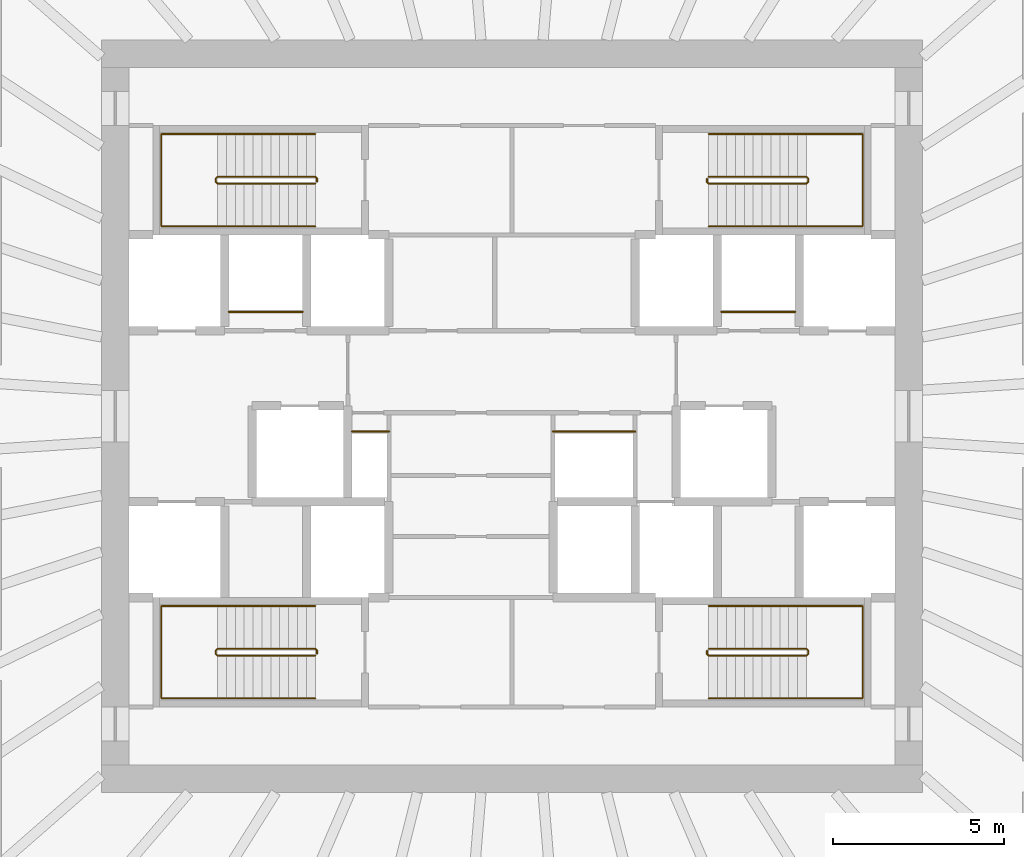
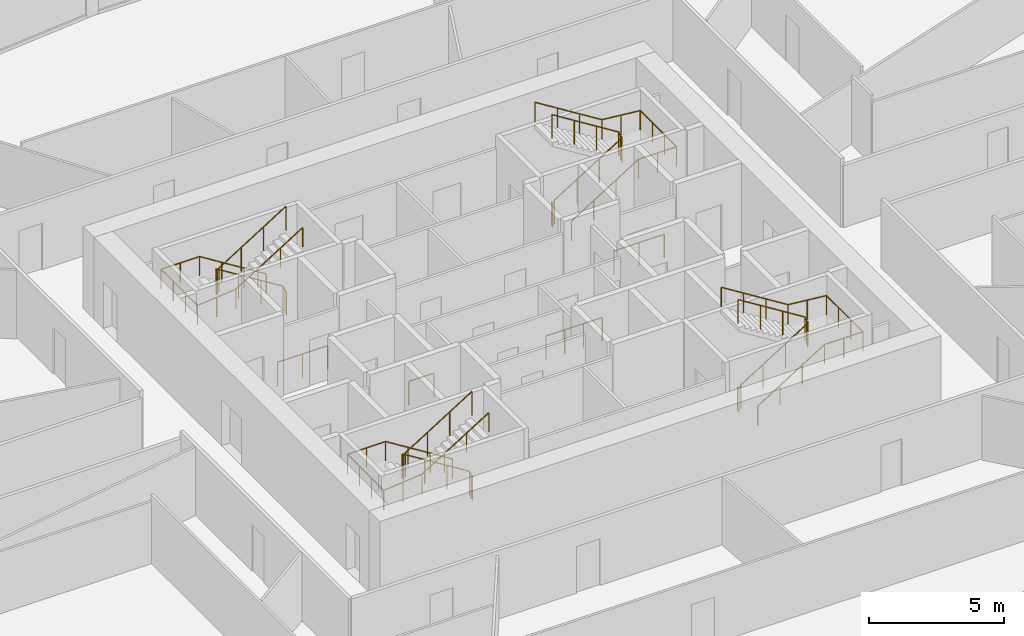
# One storey, part 11 of 11: 12 railings.
"""IFC4 building model written with IfcOpenShell, lengths in metres."""

from ifc_helpers import new_model, si_unit, direction, frame, origin, origin_2d, place, context, subcontext, project, spatial, circle, extrude, source, transform, mapped, material, type_object, element, save


model = new_model("IFC4")

# Units and contexts
model_context = context("Model", 3, precision=1e-05, world=origin(), true_north=direction((0.0, 1.0)))
body_context = subcontext(model_context, "Body", "Model", "MODEL_VIEW")
ifc_project = project(units=[si_unit("LENGTHUNIT", "METRE"), si_unit("AREAUNIT", "SQUARE_METRE"), si_unit("VOLUMEUNIT", "CUBIC_METRE"), si_unit("PLANEANGLEUNIT", "RADIAN"), si_unit("MASSUNIT", "GRAM", prefix="KILO")], contexts=[model_context])

# Site, building, storey
site_placement = place(None, origin())
site = spatial("IfcSite", under=ifc_project, at=site_placement, CompositionType="ELEMENT")
building_placement = place(site_placement, origin())
building = spatial("IfcBuilding", under=site, at=building_placement, Name="Embergate Tower", CompositionType="ELEMENT")
storey_placement = place(building_placement, frame((0.0, 0.0, 187.199951171875)))
storey = spatial("IfcBuildingStorey", under=building, at=storey_placement, Name="L42", CompositionType="ELEMENT", Elevation=187.199951171875)

# Railings
ifc_material_1 = material(Name="Stair guard 1100")
railing_type_1 = type_object("IfcRailingType", Name="Stair guard 1100", PredefinedType="GUARDRAIL", material=ifc_material_1)
shared_shape_1 = source(origin(), body_context, "Body", "SweptSolid", [
    extrude(circle(Radius=0.02392578125, at=origin_2d()), frame((0.0, 0.0, 1.076171875), z_axis=(0.0, 1.0, 0.0), x_axis=(-1.0, 0.0, 0.0)), (0.0, 0.0, 1.0), 0.099853515625),
    extrude(circle(Radius=0.02392578125, at=origin_2d()), frame((0.0, 0.099853515625, 1.076171875), z_axis=(-0.282227285176, 0.282227285176, 0.916894497205), x_axis=(-0.707106781187, -0.707106781187, 0.0)), (0.0, 0.0, 1.0), 0.17724609375),
    extrude(circle(Radius=0.02392578125, at=origin_2d()), frame((-0.050048828125, 0.14990234375, 1.23876953125), z_axis=(-0.848026770018, 0.0, 0.529953391661), x_axis=(0.0, -1.0, 0.0)), (0.0, 0.0, 1.0), 3.37255859375),
    extrude(circle(Radius=0.02392578125, at=origin_2d()), frame((-2.91015625, 0.14990234375, 3.02587890625), z_axis=(-0.705375805398, -0.708833529934, 0.0), x_axis=(0.708833529934, -0.705375805398, 0.0)), (0.0, 0.0, 1.0), 0.070556640625),
    extrude(circle(Radius=0.02392578125, at=origin_2d()), frame((-2.9599609375, 0.099853515625, 3.02587890625), z_axis=(0.0, -1.0, 0.0), x_axis=(1.0, 0.0, 0.0)), (0.0, 0.0, 1.0), 0.099853515625),
    extrude(circle(Radius=0.02392578125, at=origin_2d()), frame((-2.9599609375, 0.0, 3.02587890625), z_axis=(0.280959487676, -0.282336740067, 0.917250092119), x_axis=(0.708833529934, 0.705375805398, 0.0)), (0.0, 0.0, 1.0), 0.17724609375),
    extrude(circle(Radius=0.02392578125, at=origin_2d()), frame((-2.91015625, -0.050048828125, 3.1884765625), z_axis=(0.847994237388, 0.0, 0.530005446535), x_axis=(0.0, 1.0, 0.0)), (0.0, 0.0, 1.0), 3.372802734375),
    extrude(circle(Radius=0.02099609375, at=origin_2d()), origin(), (0.0, 0.0, 1.0), 1.052001953125),
    extrude(circle(Radius=0.02099609375, at=origin_2d()), frame((0.0, 0.099853515625, 0.0)), (0.0, 0.0, 1.0), 1.052001953125),
    extrude(circle(Radius=0.02099609375, at=origin_2d()), frame((-0.050048828125, 0.14990234375, 0.16259765625)), (0.0, 0.0, 1.0), 1.052001953125),
    extrude(circle(Radius=0.02099609375, at=origin_2d()), frame((-1.00341796875, 0.14990234375, 0.75830078125)), (0.0, 0.0, 1.0), 1.052001953125),
    extrude(circle(Radius=0.02099609375, at=origin_2d()), frame((-1.956787109375, 0.14990234375, 1.354248046875)), (0.0, 0.0, 1.0), 1.052001953125),
    extrude(circle(Radius=0.02099609375, at=origin_2d()), frame((-2.91015625, 0.14990234375, 1.949951171875)), (0.0, 0.0, 1.0), 1.052001953125),
    extrude(circle(Radius=0.02099609375, at=origin_2d()), frame((-2.9599609375, 0.099853515625, 1.949951171875)), (0.0, 0.0, 1.0), 1.052001953125),
    extrude(circle(Radius=0.02099609375, at=origin_2d()), frame((-2.9599609375, 0.0, 1.949951171875)), (0.0, 0.0, 1.0), 1.052001953125),
    extrude(circle(Radius=0.02099609375, at=origin_2d()), frame((-2.91015625, -0.050048828125, 2.112548828125)), (0.0, 0.0, 1.0), 1.052001953125),
    extrude(circle(Radius=0.02099609375, at=origin_2d()), frame((-1.956787109375, -0.050048828125, 2.70849609375)), (0.0, 0.0, 1.0), 1.052001953125),
    extrude(circle(Radius=0.02099609375, at=origin_2d()), frame((-1.00341796875, -0.050048828125, 3.30419921875)), (0.0, 0.0, 1.0), 1.052001953125),
    extrude(circle(Radius=0.02099609375, at=origin_2d()), frame((-0.050048828125, -0.050048828125, 3.900146484375)), (0.0, 0.0, 1.0), 1.052001953125),
])
for number, where, name in (
    (1, (-5.699951171875, 6.85009765625, 0.0), "L42 ST1 stair guard 1"),
    (2, (-5.699951171875, -6.949951171875, 0.0), "L42 ST3 stair guard 1"),
):
    element("IfcRailing", number, at=place(storey_placement, frame(where)), inside=storey, type_object=railing_type_1, Name=name, PredefinedType="GUARDRAIL", context=body_context, shape_type="MappedRepresentation", body=[
        mapped(shared_shape_1, transform((0.0, 0.0, 0.0))),
    ])
ifc_material_2 = material(Name="Stair handrail 900")
railing_type_2 = type_object("IfcRailingType", Name="Stair handrail 900", PredefinedType="HANDRAIL", material=ifc_material_2)
shared_shape_2 = source(origin(), body_context, "Body", "SweptSolid", [
    extrude(circle(Radius=0.02392578125, at=origin_2d()), frame((0.0, 0.0, 0.8759765625), z_axis=(-0.848026770018, 0.0, 0.529953391661), x_axis=(0.0, -1.0, 0.0)), (0.0, 0.0, 1.0), 3.37255859375),
    extrude(circle(Radius=0.02392578125, at=origin_2d()), frame((-2.860107421875, 0.0, 2.6630859375), z_axis=(-1.0, 0.0, 0.0), x_axis=(0.0, -1.0, 0.0)), (0.0, 0.0, 1.0), 1.639892578125),
    extrude(circle(Radius=0.02392578125, at=origin_2d()), frame((-4.5, 0.0, 2.6630859375), z_axis=(0.0, -1.0, 0.0), x_axis=(1.0, 0.0, 0.0)), (0.0, 0.0, 1.0), 2.699951171875),
    extrude(circle(Radius=0.02392578125, at=origin_2d()), frame((-4.5, -2.699951171875, 2.6630859375), z_axis=(0.995120448088, 0.0, 0.098667592441), x_axis=(0.0, 1.0, 0.0)), (0.0, 0.0, 1.0), 1.64794921875),
    extrude(circle(Radius=0.02392578125, at=origin_2d()), frame((-2.860107421875, -2.699951171875, 2.82568359375), z_axis=(0.847994237388, 0.0, 0.530005446535), x_axis=(0.0, 1.0, 0.0)), (0.0, 0.0, 1.0), 3.372802734375),
    extrude(circle(Radius=0.02099609375, at=origin_2d()), origin(), (0.0, 0.0, 1.0), 0.851806640625),
    extrude(circle(Radius=0.02099609375, at=origin_2d()), frame((-0.953369140625, 0.0, 0.595703125)), (0.0, 0.0, 1.0), 0.851806640625),
    extrude(circle(Radius=0.02099609375, at=origin_2d()), frame((-1.90673828125, 0.0, 1.191650390625)), (0.0, 0.0, 1.0), 0.851806640625),
    extrude(circle(Radius=0.02099609375, at=origin_2d()), frame((-2.860107421875, 0.0, 1.787353515625)), (0.0, 0.0, 1.0), 0.851806640625),
    extrude(circle(Radius=0.02099609375, at=origin_2d()), frame((-3.68017578125, 0.0, 1.787353515625)), (0.0, 0.0, 1.0), 0.851806640625),
    extrude(circle(Radius=0.02099609375, at=origin_2d()), frame((-4.5, 0.0, 1.787353515625)), (0.0, 0.0, 1.0), 0.851806640625),
    extrude(circle(Radius=0.02099609375, at=origin_2d()), frame((-4.5, -0.89990234375, 1.787353515625)), (0.0, 0.0, 1.0), 0.851806640625),
    extrude(circle(Radius=0.02099609375, at=origin_2d()), frame((-4.5, -1.800048828125, 1.787353515625)), (0.0, 0.0, 1.0), 0.851806640625),
    extrude(circle(Radius=0.02099609375, at=origin_2d()), frame((-4.5, -2.699951171875, 1.787353515625)), (0.0, 0.0, 1.0), 0.851806640625),
    extrude(circle(Radius=0.02099609375, at=origin_2d()), frame((-3.68017578125, -2.699951171875, 1.86865234375)), (0.0, 0.0, 1.0), 0.851806640625),
    extrude(circle(Radius=0.02099609375, at=origin_2d()), frame((-2.860107421875, -2.699951171875, 1.949951171875)), (0.0, 0.0, 1.0), 0.851806640625),
    extrude(circle(Radius=0.02099609375, at=origin_2d()), frame((-1.90673828125, -2.699951171875, 2.5458984375)), (0.0, 0.0, 1.0), 0.851806640625),
    extrude(circle(Radius=0.02099609375, at=origin_2d()), frame((-0.953369140625, -2.699951171875, 3.1416015625)), (0.0, 0.0, 1.0), 0.851806640625),
    extrude(circle(Radius=0.02099609375, at=origin_2d()), frame((0.0, -2.699951171875, 3.737548828125)), (0.0, 0.0, 1.0), 0.851806640625),
])
for number, where, name in (
    (3, (-5.75, 8.25, 0.16259765625), "L42 ST1 stair handrail 1"),
    (4, (-5.75, -5.550048828125, 0.16259765625), "L42 ST3 stair handrail 1"),
):
    element("IfcRailing", number, at=place(storey_placement, frame(where)), inside=storey, type_object=railing_type_2, Name=name, PredefinedType="HANDRAIL", context=body_context, shape_type="MappedRepresentation", body=[
        mapped(shared_shape_2, transform((0.0, 0.0, 0.0))),
    ])
shared_shape_3 = source(origin(), body_context, "Body", "SweptSolid", [
    extrude(circle(Radius=0.02392578125, at=origin_2d()), frame((0.0, 0.0, 1.076171875), z_axis=(0.0, -1.0, 0.0), x_axis=(1.0, 0.0, 0.0)), (0.0, 0.0, 1.0), 0.099853515625),
    extrude(circle(Radius=0.02392578125, at=origin_2d()), frame((0.0, -0.099853515625, 1.076171875), z_axis=(0.282227285176, -0.282227285176, 0.916894497205), x_axis=(0.707106781187, 0.707106781187, 0.0)), (0.0, 0.0, 1.0), 0.17724609375),
    extrude(circle(Radius=0.02392578125, at=origin_2d()), frame((0.050048828125, -0.14990234375, 1.23876953125), z_axis=(0.848026770018, 0.0, 0.529953391661), x_axis=(0.0, 1.0, 0.0)), (0.0, 0.0, 1.0), 3.37255859375),
    extrude(circle(Radius=0.02392578125, at=origin_2d()), frame((2.91015625, -0.14990234375, 3.02587890625), z_axis=(0.705375805398, 0.708833529934, 0.0), x_axis=(-0.708833529934, 0.705375805398, 0.0)), (0.0, 0.0, 1.0), 0.070556640625),
    extrude(circle(Radius=0.02392578125, at=origin_2d()), frame((2.9599609375, -0.099853515625, 3.02587890625), z_axis=(0.0, 1.0, 0.0), x_axis=(-1.0, 0.0, 0.0)), (0.0, 0.0, 1.0), 0.099853515625),
    extrude(circle(Radius=0.02392578125, at=origin_2d()), frame((2.9599609375, 0.0, 3.02587890625), z_axis=(-0.280959487676, 0.282336740067, 0.917250092119), x_axis=(-0.708833529934, -0.705375805398, 0.0)), (0.0, 0.0, 1.0), 0.17724609375),
    extrude(circle(Radius=0.02392578125, at=origin_2d()), frame((2.91015625, 0.050048828125, 3.1884765625), z_axis=(-0.847994237388, 0.0, 0.530005446535), x_axis=(0.0, -1.0, 0.0)), (0.0, 0.0, 1.0), 3.372802734375),
    extrude(circle(Radius=0.02099609375, at=origin_2d()), origin(), (0.0, 0.0, 1.0), 1.052001953125),
    extrude(circle(Radius=0.02099609375, at=origin_2d()), frame((0.0, -0.099853515625, 0.0)), (0.0, 0.0, 1.0), 1.052001953125),
    extrude(circle(Radius=0.02099609375, at=origin_2d()), frame((0.050048828125, -0.14990234375, 0.16259765625)), (0.0, 0.0, 1.0), 1.052001953125),
    extrude(circle(Radius=0.02099609375, at=origin_2d()), frame((1.00341796875, -0.14990234375, 0.75830078125)), (0.0, 0.0, 1.0), 1.052001953125),
    extrude(circle(Radius=0.02099609375, at=origin_2d()), frame((1.956787109375, -0.14990234375, 1.354248046875)), (0.0, 0.0, 1.0), 1.052001953125),
    extrude(circle(Radius=0.02099609375, at=origin_2d()), frame((2.91015625, -0.14990234375, 1.949951171875)), (0.0, 0.0, 1.0), 1.052001953125),
    extrude(circle(Radius=0.02099609375, at=origin_2d()), frame((2.9599609375, -0.099853515625, 1.949951171875)), (0.0, 0.0, 1.0), 1.052001953125),
    extrude(circle(Radius=0.02099609375, at=origin_2d()), frame((2.9599609375, 0.0, 1.949951171875)), (0.0, 0.0, 1.0), 1.052001953125),
    extrude(circle(Radius=0.02099609375, at=origin_2d()), frame((2.91015625, 0.050048828125, 2.112548828125)), (0.0, 0.0, 1.0), 1.052001953125),
    extrude(circle(Radius=0.02099609375, at=origin_2d()), frame((1.956787109375, 0.050048828125, 2.70849609375)), (0.0, 0.0, 1.0), 1.052001953125),
    extrude(circle(Radius=0.02099609375, at=origin_2d()), frame((1.00341796875, 0.050048828125, 3.30419921875)), (0.0, 0.0, 1.0), 1.052001953125),
    extrude(circle(Radius=0.02099609375, at=origin_2d()), frame((0.050048828125, 0.050048828125, 3.900146484375)), (0.0, 0.0, 1.0), 1.052001953125),
])
for number, where, name in (
    (5, (5.699951171875, 6.949951171875, 0.0), "L42 ST2 stair guard 1"),
    (6, (5.699951171875, -6.85009765625, 0.0), "L42 ST4 stair guard 1"),
):
    element("IfcRailing", number, at=place(storey_placement, frame(where)), inside=storey, type_object=railing_type_1, Name=name, PredefinedType="GUARDRAIL", context=body_context, shape_type="MappedRepresentation", body=[
        mapped(shared_shape_3, transform((0.0, 0.0, 0.0))),
    ])
shared_shape_4 = source(origin(), body_context, "Body", "SweptSolid", [
    extrude(circle(Radius=0.02392578125, at=origin_2d()), frame((0.0, 0.0, 0.8759765625), z_axis=(0.848026770018, 0.0, 0.529953391661), x_axis=(0.0, 1.0, 0.0)), (0.0, 0.0, 1.0), 3.37255859375),
    extrude(circle(Radius=0.02392578125, at=origin_2d()), frame((2.860107421875, 0.0, 2.6630859375), z_axis=(1.0, 0.0, 0.0), x_axis=(0.0, 1.0, 0.0)), (0.0, 0.0, 1.0), 1.639892578125),
    extrude(circle(Radius=0.02392578125, at=origin_2d()), frame((4.5, 0.0, 2.6630859375), z_axis=(0.0, 1.0, 0.0), x_axis=(-1.0, 0.0, 0.0)), (0.0, 0.0, 1.0), 2.699951171875),
    extrude(circle(Radius=0.02392578125, at=origin_2d()), frame((4.5, 2.699951171875, 2.6630859375), z_axis=(-0.995120448088, 0.0, 0.098667592441), x_axis=(0.0, -1.0, 0.0)), (0.0, 0.0, 1.0), 1.64794921875),
    extrude(circle(Radius=0.02392578125, at=origin_2d()), frame((2.860107421875, 2.699951171875, 2.82568359375), z_axis=(-0.847994237388, 0.0, 0.530005446535), x_axis=(0.0, -1.0, 0.0)), (0.0, 0.0, 1.0), 3.372802734375),
    extrude(circle(Radius=0.02099609375, at=origin_2d()), origin(), (0.0, 0.0, 1.0), 0.851806640625),
    extrude(circle(Radius=0.02099609375, at=origin_2d()), frame((0.953369140625, 0.0, 0.595703125)), (0.0, 0.0, 1.0), 0.851806640625),
    extrude(circle(Radius=0.02099609375, at=origin_2d()), frame((1.90673828125, 0.0, 1.191650390625)), (0.0, 0.0, 1.0), 0.851806640625),
    extrude(circle(Radius=0.02099609375, at=origin_2d()), frame((2.860107421875, 0.0, 1.787353515625)), (0.0, 0.0, 1.0), 0.851806640625),
    extrude(circle(Radius=0.02099609375, at=origin_2d()), frame((3.68017578125, 0.0, 1.787353515625)), (0.0, 0.0, 1.0), 0.851806640625),
    extrude(circle(Radius=0.02099609375, at=origin_2d()), frame((4.5, 0.0, 1.787353515625)), (0.0, 0.0, 1.0), 0.851806640625),
    extrude(circle(Radius=0.02099609375, at=origin_2d()), frame((4.5, 0.89990234375, 1.787353515625)), (0.0, 0.0, 1.0), 0.851806640625),
    extrude(circle(Radius=0.02099609375, at=origin_2d()), frame((4.5, 1.800048828125, 1.787353515625)), (0.0, 0.0, 1.0), 0.851806640625),
    extrude(circle(Radius=0.02099609375, at=origin_2d()), frame((4.5, 2.699951171875, 1.787353515625)), (0.0, 0.0, 1.0), 0.851806640625),
    extrude(circle(Radius=0.02099609375, at=origin_2d()), frame((3.68017578125, 2.699951171875, 1.86865234375)), (0.0, 0.0, 1.0), 0.851806640625),
    extrude(circle(Radius=0.02099609375, at=origin_2d()), frame((2.860107421875, 2.699951171875, 1.949951171875)), (0.0, 0.0, 1.0), 0.851806640625),
    extrude(circle(Radius=0.02099609375, at=origin_2d()), frame((1.90673828125, 2.699951171875, 2.5458984375)), (0.0, 0.0, 1.0), 0.851806640625),
    extrude(circle(Radius=0.02099609375, at=origin_2d()), frame((0.953369140625, 2.699951171875, 3.1416015625)), (0.0, 0.0, 1.0), 0.851806640625),
    extrude(circle(Radius=0.02099609375, at=origin_2d()), frame((0.0, 2.699951171875, 3.737548828125)), (0.0, 0.0, 1.0), 0.851806640625),
])
for number, where, name in (
    (7, (5.75, 5.550048828125, 0.16259765625), "L42 ST2 stair handrail 1"),
    (8, (5.75, -8.25, 0.16259765625), "L42 ST4 stair handrail 1"),
):
    element("IfcRailing", number, at=place(storey_placement, frame(where)), inside=storey, type_object=railing_type_2, Name=name, PredefinedType="HANDRAIL", context=body_context, shape_type="MappedRepresentation", body=[
        mapped(shared_shape_4, transform((0.0, 0.0, 0.0))),
    ])
ifc_material_3 = material(Name="Opening guard 1100")
railing_type_3 = type_object("IfcRailingType", Name="Opening guard 1100", PredefinedType="GUARDRAIL", material=ifc_material_3)
shared_shape_5 = source(origin(), body_context, "Body", "SweptSolid", [
    extrude(circle(Radius=0.02392578125, at=origin_2d()), frame((0.0, 0.0, 1.076171875), z_axis=(1.0, 0.0, 0.0), x_axis=(0.0, 1.0, 0.0)), (0.0, 0.0, 1.0), 2.14990234375),
    extrude(circle(Radius=0.02099609375, at=origin_2d()), origin(), (0.0, 0.0, 1.0), 1.052001953125),
    extrude(circle(Radius=0.02099609375, at=origin_2d()), frame((1.074951171875, 0.0, 0.0)), (0.0, 0.0, 1.0), 1.052001953125),
    extrude(circle(Radius=0.02099609375, at=origin_2d()), frame((2.14990234375, 0.0, 0.0)), (0.0, 0.0, 1.0), 1.052001953125),
])
for number, where, name in (
    (9, (-8.27490234375, 3.050048828125, 0.0), "Riser opening guard"),
    (10, (6.125, 3.050048828125, 0.0), "Riser opening guard"),
):
    element("IfcRailing", number, at=place(storey_placement, frame(where)), inside=storey, type_object=railing_type_3, Name=name, PredefinedType="GUARDRAIL", context=body_context, shape_type="MappedRepresentation", body=[
        mapped(shared_shape_5, transform((0.0, 0.0, 0.0))),
    ])
shared_shape_6 = source(origin(), body_context, "Body", "SweptSolid", [
    extrude(circle(Radius=0.02392578125, at=origin_2d()), frame((0.0, 0.0, 1.076171875), z_axis=(1.0, 0.0, 0.0), x_axis=(0.0, 1.0, 0.0)), (0.0, 0.0, 1.0), 1.074951171875),
    extrude(circle(Radius=0.02099609375, at=origin_2d()), origin(), (0.0, 0.0, 1.0), 1.052001953125),
    extrude(circle(Radius=0.02099609375, at=origin_2d()), frame((1.074951171875, 0.0, 0.0)), (0.0, 0.0, 1.0), 1.052001953125),
])
railing_1_placement = place(storey_placement, frame((-4.675048828125, -0.449951171875, 0.0)))
element("IfcRailing", 11, at=railing_1_placement, inside=storey, type_object=railing_type_3, Name="Riser opening guard", PredefinedType="GUARDRAIL", context=body_context, shape_type="MappedRepresentation", body=[
    mapped(shared_shape_6, transform((0.0, 0.0, 0.0))),
])
shared_shape_7 = source(origin(), body_context, "Body", "SweptSolid", [
    extrude(circle(Radius=0.02392578125, at=origin_2d()), frame((0.0, 0.0, 1.076171875), z_axis=(1.0, 0.0, 0.0), x_axis=(0.0, 1.0, 0.0)), (0.0, 0.0, 1.0), 2.400146484375),
    extrude(circle(Radius=0.02099609375, at=origin_2d()), origin(), (0.0, 0.0, 1.0), 1.052001953125),
    extrude(circle(Radius=0.02099609375, at=origin_2d()), frame((0.800048828125, 0.0, 0.0)), (0.0, 0.0, 1.0), 1.052001953125),
    extrude(circle(Radius=0.02099609375, at=origin_2d()), frame((1.60009765625, 0.0, 0.0)), (0.0, 0.0, 1.0), 1.052001953125),
    extrude(circle(Radius=0.02099609375, at=origin_2d()), frame((2.400146484375, 0.0, 0.0)), (0.0, 0.0, 1.0), 1.052001953125),
])
railing_2_placement = place(storey_placement, frame((1.199951171875, -0.449951171875, 0.0)))
element("IfcRailing", 12, at=railing_2_placement, inside=storey, type_object=railing_type_3, Name="Riser opening guard", PredefinedType="GUARDRAIL", context=body_context, shape_type="MappedRepresentation", body=[
    mapped(shared_shape_7, transform((0.0, 0.0, 0.0))),
])

save(model, "model.ifc")
